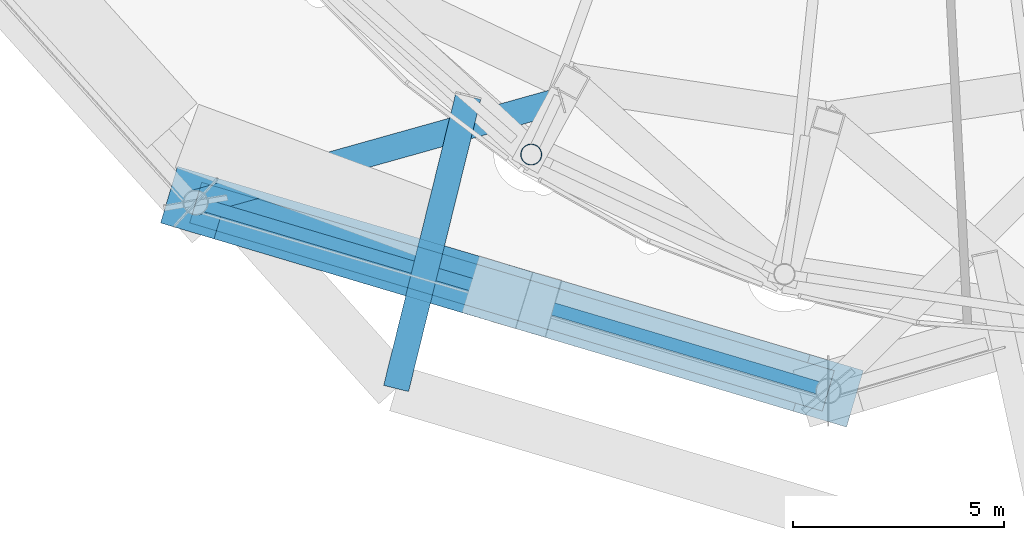
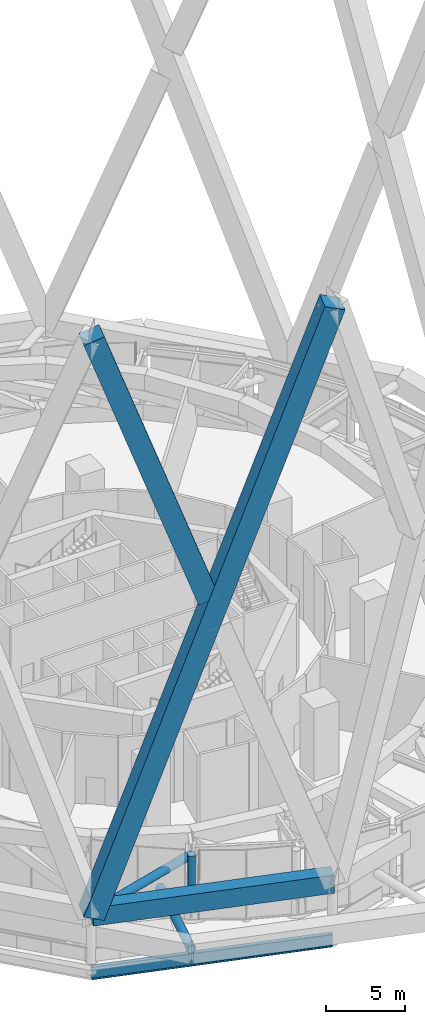
# One storey, part 4 of 60: 6 members, 1 beam.
"""IFC4 building model written with IfcOpenShell, lengths in metres."""

import ifcopenshell
import ifcopenshell.guid

model = None  # the IFC model being written
_history = None  # IfcOwnerHistory: only IFC2X3 demands one
_inside = {}  # id of a spatial element -> (the spatial element, [elements in it])
_under = {}  # id of a project, library or spatial element -> (it, [spatial elements below it])
_declared = {}  # id of a project -> (the project, [libraries it declares])
_typed = {}  # id of a type object -> (the type object, [elements of that type])
_made_of = {}  # id of a material, layer set ... -> (it, [elements and type objects made of it])


def new_model(schema):
    """Start an empty IFC model of exactly this schema.

    Asked for "IFC4X3", IfcOpenShell would pick the latest addendum, in which some entities
    have other attributes; the version numbers below select the first issue.
    IFC2X3 requires an IfcOwnerHistory on every rooted entity: one is made here for all.
    """
    global model, _history
    if schema == "IFC4X3":
        model = ifcopenshell.file(schema_version=(4, 3, 0, 0))
    else:
        model = ifcopenshell.file(schema=schema)
    _inside.clear()
    _under.clear()
    _declared.clear()
    _typed.clear()
    _made_of.clear()
    _history = None
    if model.schema == "IFC2X3":
        org = make("IfcOrganization", Name="unknown")
        user = make(
            "IfcPersonAndOrganization",
            ThePerson=make("IfcPerson", FamilyName="unknown"),
            TheOrganization=org,
        )
        app = make(
            "IfcApplication",
            ApplicationDeveloper=org,
            Version="unknown",
            ApplicationFullName="unknown",
            ApplicationIdentifier="unknown",
        )
        _history = make(
            "IfcOwnerHistory",
            OwningUser=user,
            OwningApplication=app,
            ChangeAction="ADDED",
            CreationDate=0,
        )
    return model


def make(cls, **values):
    """One entity of the class cls with the attributes given. An attribute that is None is left unset."""
    return model.create_entity(
        cls, **{name: value for name, value in values.items() if value is not None}
    )


def rooted(cls, **values):
    """An entity with a GlobalId (a new one), such as an element, a storey or a relation."""
    return make(cls, GlobalId=ifcopenshell.guid.new(), OwnerHistory=_history, **values)


def si_unit(unit_type, name, prefix=None):
    """IfcSIUnit, for example si_unit("LENGTHUNIT", "METRE", prefix="MILLI")."""
    return make("IfcSIUnit", UnitType=unit_type, Prefix=prefix, Name=name)


def assignment(units):
    """IfcUnitAssignment: the units of a project."""
    return None if units is None else make("IfcUnitAssignment", Units=units)


def point(xyz):
    """IfcCartesianPoint."""
    return None if xyz is None else make("IfcCartesianPoint", Coordinates=xyz)


def direction(xyz):
    """IfcDirection."""
    return None if xyz is None else make("IfcDirection", DirectionRatios=xyz)


def frame(location, z_axis=None, x_axis=None):
    """IfcAxis2Placement3D, a coordinate frame: its origin and axes. An axis left out is left unset."""
    return make(
        "IfcAxis2Placement3D",
        Location=point(location),
        Axis=direction(z_axis),
        RefDirection=direction(x_axis),
    )


def frame_2d(location, x_axis=None):
    """IfcAxis2Placement2D, a coordinate frame in the plane: its origin and x axis."""
    return make(
        "IfcAxis2Placement2D", Location=point(location), RefDirection=direction(x_axis)
    )


def origin():
    """The frame at (0, 0, 0) with its axes left unset."""
    return frame((0.0, 0.0, 0.0))


def origin_2d():
    """The frame at (0, 0) in the plane with its x axis left unset."""
    return frame_2d((0.0, 0.0))


def place(relative_to, where):
    """IfcLocalPlacement: puts the frame where relative to a parent placement (None: the world)."""
    return make(
        "IfcLocalPlacement", PlacementRelTo=relative_to, RelativePlacement=where
    )


def context(
    kind, dimensions, precision=None, world=None, true_north=None, identifier=None
):
    """IfcGeometricRepresentationContext, for example the 3D "Model" context."""
    return make(
        "IfcGeometricRepresentationContext",
        ContextIdentifier=identifier,
        ContextType=kind,
        CoordinateSpaceDimension=dimensions,
        Precision=precision,
        WorldCoordinateSystem=world,
        TrueNorth=true_north,
    )


def subcontext(parent, identifier, kind, view, scale=None):
    """IfcGeometricRepresentationSubContext, for example "Body" below "Model"."""
    return make(
        "IfcGeometricRepresentationSubContext",
        ContextIdentifier=identifier,
        ContextType=kind,
        ParentContext=parent,
        TargetScale=scale,
        TargetView=view,
    )


def project(units=None, contexts=None):
    """IfcProject with its units and contexts."""
    return rooted(
        "IfcProject",
        Name="project",
        RepresentationContexts=contexts,
        UnitsInContext=assignment(units),
    )


def spatial(cls, under=None, at=None, **own):
    """A site, building, storey or space (cls), placed at a placement, below another one or the project."""
    s = rooted(cls, ObjectPlacement=at, **own)
    if under is not None:
        _under.setdefault(under.id(), (under, []))[1].append(s)
    return s


def profile(cls, at=None, kind="AREA", **sizes):
    """A parametric profile (cls). Its sizes go by their IFC names, for example OverallWidth=200.0."""
    return make(cls, ProfileType=kind, Position=at, **sizes)


def rectangle(**sizes):
    """IfcRectangleProfileDef."""
    return profile("IfcRectangleProfileDef", **sizes)


def hollow_circle(**sizes):
    """IfcCircleHollowProfileDef."""
    return profile("IfcCircleHollowProfileDef", **sizes)


def i_section(**sizes):
    """IfcIShapeProfileDef."""
    return profile("IfcIShapeProfileDef", **sizes)


def extrude(swept, where, along, depth):
    """IfcExtrudedAreaSolid: the profile swept, set in the frame where, extruded along a direction by depth."""
    return make(
        "IfcExtrudedAreaSolid",
        SweptArea=swept,
        Position=where,
        ExtrudedDirection=direction(along),
        Depth=depth,
    )


def shape(context_of_items, identifier, shape_type, items):
    """IfcShapeRepresentation: the items that make up one representation, for example the "Body"."""
    return make(
        "IfcShapeRepresentation",
        ContextOfItems=context_of_items,
        RepresentationIdentifier=identifier,
        RepresentationType=shape_type,
        Items=items,
    )


def material(Name=None, Category=None):
    """IfcMaterial."""
    return make("IfcMaterial", Name=Name, Category=Category)


def material_profile(
    of_material, cross_section, Name=None, Category=None, Priority=None
):
    """IfcMaterialProfile: a cross section and its material."""
    return make(
        "IfcMaterialProfile",
        Name=Name,
        Material=of_material,
        Profile=cross_section,
        Priority=Priority,
        Category=Category,
    )


def profile_set(profiles, Name=None, composite=None):
    """IfcMaterialProfileSet."""
    return make(
        "IfcMaterialProfileSet",
        Name=Name,
        MaterialProfiles=profiles,
        CompositeProfile=composite,
    )


def made_of(thing, what):
    """Note that an element or type object is made of a material, layer set ...; save() writes the relation."""
    if what is not None:
        _made_of.setdefault(what.id(), (what, []))[1].append(thing)
    return thing


def type_object(cls, material=None, **own):
    """A type object (cls), such as IfcWallType, which elements share."""
    return made_of(rooted(cls, **own), material)


def element(
    cls,
    number,
    at=None,
    inside=None,
    cuts=None,
    type_object=None,
    material=None,
    context=None,
    identifier="Body",
    shape_type=None,
    held_by="IfcProductDefinitionShape",
    body=None,
    shapes=None,
    **own,
):
    """One element of the class cls, such as IfcWall. Its Tag is "e" and its number.

    at: its placement. inside: the storey or other place that contains it. cuts: it is an
    opening in that element (IfcRelVoidsElement). A single representation is given by context,
    identifier, shape_type and body (its items); several are given by shapes. held_by: the class
    of the entity that holds the representations. save() writes the other relations.
    """
    e = rooted(cls, Tag="e%d" % number, ObjectPlacement=at, **own)
    if body is not None:
        shapes = [shape(context, identifier, shape_type, body)]
    if shapes is not None:
        e.Representation = make(held_by, Representations=shapes)
    if inside is not None:
        _inside.setdefault(inside.id(), (inside, []))[1].append(e)
    if cuts is not None:
        rooted(
            "IfcRelVoidsElement", RelatingBuildingElement=cuts, RelatedOpeningElement=e
        )
    if type_object is not None:
        _typed.setdefault(type_object.id(), (type_object, []))[1].append(e)
    return made_of(e, material)


def aggregate(whole, parts):
    """IfcRelAggregates: a whole, such as a stair, and the parts it consists of."""
    return rooted("IfcRelAggregates", RelatingObject=whole, RelatedObjects=parts)


def save(model, path):
    """Write the relations noted so far, then the file.

    IfcRelAggregates (storeys below a building ...), IfcRelContainedInSpatialStructure (elements
    in a storey), IfcRelDefinesByType, IfcRelAssociatesMaterial and IfcRelDeclares: one each for
    every whole, place, type object, material and project.
    """
    for whole, parts in _under.values():
        aggregate(whole, parts)
    for where, things in _inside.values():
        rooted(
            "IfcRelContainedInSpatialStructure",
            RelatedElements=things,
            RelatingStructure=where,
        )
    for kind, things in _typed.values():
        rooted("IfcRelDefinesByType", RelatedObjects=things, RelatingType=kind)
    for what, things in _made_of.values():
        rooted("IfcRelAssociatesMaterial", RelatedObjects=things, RelatingMaterial=what)
    for by, libraries in _declared.values():
        rooted("IfcRelDeclares", RelatingContext=by, RelatedDefinitions=libraries)
    model.write(path)


model = new_model("IFC4")

# Units and contexts
model_context = context("Model", 3, precision=1e-05, world=origin(), true_north=direction((0.0, 1.0)))
body_context = subcontext(model_context, "Body", "Model", "MODEL_VIEW")
ifc_project = project(units=[si_unit("LENGTHUNIT", "METRE"), si_unit("AREAUNIT", "SQUARE_METRE"), si_unit("VOLUMEUNIT", "CUBIC_METRE"), si_unit("PLANEANGLEUNIT", "RADIAN"), si_unit("MASSUNIT", "GRAM", prefix="KILO")], contexts=[model_context])

# Site, building, storey
site_placement = place(None, origin())
site = spatial("IfcSite", under=ifc_project, at=site_placement, CompositionType="ELEMENT")
building_placement = place(site_placement, origin())
building = spatial("IfcBuilding", under=site, at=building_placement, Name="Nagisa Residences", CompositionType="ELEMENT")
storey_placement = place(building_placement, frame((0.0, 0.0, 206.60009765625)))
storey = spatial("IfcBuildingStorey", under=building, at=storey_placement, Name="L52", CompositionType="ELEMENT", Elevation=206.60009765625)

# Members
ifc_material_1 = material(Name="Concrete C80", Category="concrete")
ifc_material_profile_1 = material_profile(ifc_material_1, rectangle(XDim=1.39990234375, YDim=1.39990234375, at=origin_2d()), Name="C80 1400x1400")
ifc_profile_set_1 = profile_set([ifc_material_profile_1], Name="Concrete C80")
member_type_1 = type_object("IfcMemberType", Name="Cage diagonal 5 C80 1400x1400", PredefinedType="BRACE", material=ifc_profile_set_1)
member_1_placement = place(storey_placement, frame((-16.784912109375, -25.71240234375, 3.699951171875), z_axis=(0.317700786069, -0.094557625858, 0.943464395684), x_axis=(0.285264182648, 0.958448927225, 0.0)))
element("IfcMember", 1, at=member_1_placement, inside=storey, type_object=member_type_1, Name="mem:L52:cg5d017", PredefinedType="BRACE", context=body_context, shape_type="SweptSolid", body=[
    extrude(rectangle(XDim=1.39990234375, YDim=1.39990234375, at=origin_2d()), origin(), (0.0, 0.0, 1.0), 47.16650390625),
])
member_2_placement = place(storey_placement, frame((-9.6416015625, -27.83837890625, 26.98681640625), z_axis=(-0.317702153622, 0.094553824592, 0.943464316145), x_axis=(-0.285252520058, -0.958452398297, 0.0)))
element("IfcMember", 2, at=member_2_placement, inside=storey, type_object=member_type_1, Name="mem:L52:cg5d018b", PredefinedType="BRACE", context=body_context, shape_type="SweptSolid", body=[
    extrude(rectangle(XDim=1.39990234375, YDim=1.39990234375, at=origin_2d()), origin(), (0.0, 0.0, 1.0), 22.484375),
])
ifc_material_2 = material(Name="Concrete C80", Category="concrete")
ifc_material_profile_2 = material_profile(ifc_material_2, rectangle(XDim=1.0, YDim=1.39990234375, at=origin_2d()), Name="C80 1000x1400")
ifc_profile_set_2 = profile_set([ifc_material_profile_2], Name="Concrete C80")
member_type_2 = type_object("IfcMemberType", Name="Cage ring 5 C80 1000x1400", PredefinedType="CHORD", material=ifc_profile_set_2)
member_3_placement = place(storey_placement, frame((-16.784912109375, -25.71240234375, 3.699951171875), z_axis=(0.958448927225, -0.285264182648, 0.0), x_axis=(0.285264182648, 0.958448927225, 0.0)))
element("IfcMember", 3, at=member_3_placement, inside=storey, type_object=member_type_2, Name="beam:L52:cg5r009", PredefinedType="CHORD", context=body_context, shape_type="SweptSolid", body=[
    extrude(rectangle(XDim=1.0, YDim=1.39990234375, at=origin_2d()), origin(), (0.0, 0.0, 1.0), 15.634521484375),
])
ifc_material_3 = material(Name="Steel ASTM A572 Gr 65", Category="steel")
ifc_material_profile_3 = material_profile(ifc_material_3, hollow_circle(Radius=0.304931640625, WallThickness=0.02490234375, at=origin_2d()), Name="CHS 610x25")
ifc_profile_set_3 = profile_set([ifc_material_profile_3], Name="Steel ASTM A572 Gr 65")
member_type_3 = type_object("IfcMemberType", Name="Cage strut CHS 610x25", PredefinedType="STRUT", material=ifc_profile_set_3)
member_4_placement = place(storey_placement, frame((-12.03759765625, -30.115966796875, 1.89990234375), z_axis=(0.239619243383, 0.970866941553, 0.0), x_axis=(-0.970866941553, 0.239619243383, 0.0)))
element("IfcMember", 4, at=member_4_placement, inside=storey, type_object=member_type_3, Name="mem:L52:bt4st4a09", PredefinedType="STRUT", context=body_context, shape_type="SweptSolid", body=[
    extrude(hollow_circle(Radius=0.304931640625, WallThickness=0.02490234375, at=origin_2d()), origin(), (0.0, 0.0, 1.0), 7.133056640625),
])
member_5_placement = place(storey_placement, frame((-16.784912109375, -25.71240234375, 3.699951171875), z_axis=(0.962876180786, 0.269943439398, 0.0), x_axis=(-0.269943439398, 0.962876180786, 0.0)))
element("IfcMember", 5, at=member_5_placement, inside=storey, type_object=member_type_3, Name="mem:L52:bt4st5b09", PredefinedType="STRUT", context=body_context, shape_type="SweptSolid", body=[
    extrude(hollow_circle(Radius=0.304931640625, WallThickness=0.02490234375, at=origin_2d()), origin(), (0.0, 0.0, 1.0), 8.982666015625),
])

# Beam
ifc_material_4 = material(Name="Steel ASTM A572 Gr 50", Category="steel")
ifc_material_profile_4 = material_profile(ifc_material_4, i_section(OverallWidth=0.300048828125, OverallDepth=0.97998046875, WebThickness=0.0166015625, FlangeThickness=0.02587890625, at=origin_2d()), Name="W1000x249")
ifc_profile_set_4 = profile_set([ifc_material_profile_4], Name="Steel ASTM A572 Gr 50")
beam_type = type_object("IfcBeamType", Name="Deck edge beam W1000x249", PredefinedType="BEAM", material=ifc_profile_set_4)
beam_placement = place(storey_placement, frame((-16.784912109375, -25.71240234375, -0.89013671875), z_axis=(0.958448927225, -0.285264182648, 0.0), x_axis=(0.285264182648, 0.958448927225, 0.0)))
element("IfcBeam", 6, at=beam_placement, inside=storey, type_object=beam_type, Name="beam:L52:deckedge09", PredefinedType="BEAM", context=body_context, shape_type="SweptSolid", body=[
    extrude(i_section(OverallWidth=0.300048828125, OverallDepth=0.97998046875, WebThickness=0.0166015625, FlangeThickness=0.02587890625, at=origin_2d()), origin(), (0.0, 0.0, 1.0), 15.634521484375),
])

# Member
ifc_material_5 = material(Name="Steel ASTM A572 Gr 65", Category="steel")
ifc_material_profile_5 = material_profile(ifc_material_5, hollow_circle(Radius=0.25390625, WallThickness=0.02001953125, at=origin_2d()), Name="CHS 508x20")
ifc_profile_set_5 = profile_set([ifc_material_profile_5], Name="Steel ASTM A572 Gr 65")
member_type_4 = type_object("IfcMemberType", Name="Garden edge post CHS 508x20", PredefinedType="POST", material=ifc_profile_set_5)
member_6_placement = place(storey_placement, frame((-8.83740234375, -24.573486328125, 1.199951171875), z_axis=(0.0, 0.0, 1.0), x_axis=(1.0, 0.0, 0.0)))
element("IfcMember", 7, at=member_6_placement, inside=storey, type_object=member_type_4, Name="mem:L52:gp417", PredefinedType="POST", context=body_context, shape_type="SweptSolid", body=[
    extrude(hollow_circle(Radius=0.25390625, WallThickness=0.02001953125, at=origin_2d()), origin(), (0.0, 0.0, 1.0), 3.536865234375),
])

save(model, "model.ifc")
